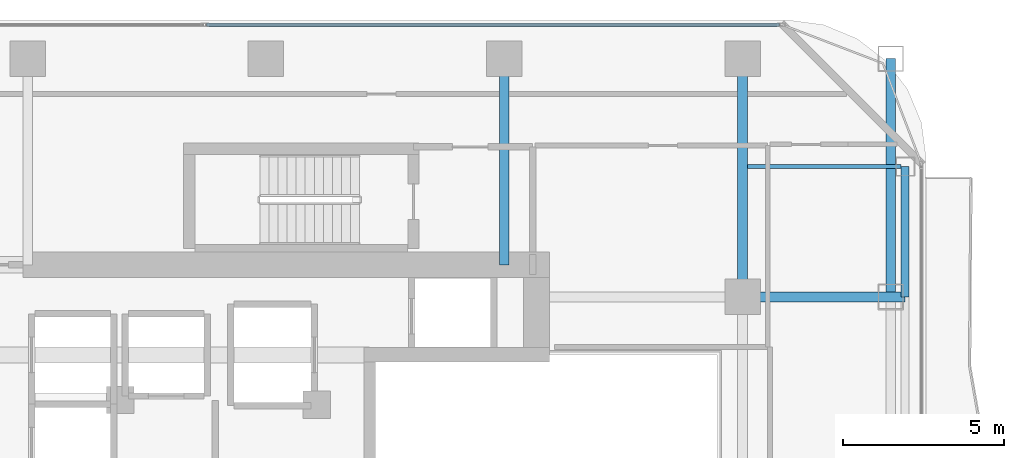
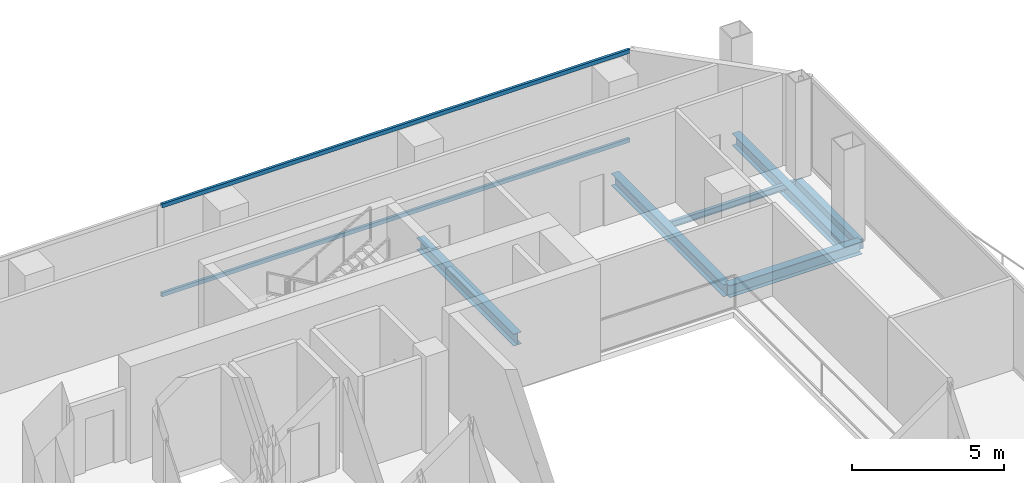
# One storey, part 14 of 23: 6 beams, 2 members, 1 element without a shape of its own.
"""IFC4 building model written with IfcOpenShell, lengths in metres."""

from ifc_helpers import new_model, si_unit, direction, frame, origin, origin_2d, place, context, subcontext, project, spatial, hollow_rectangle, i_section, extrude, material, layer, layer_set, material_profile, profile_set, type_object, element, aggregate, save


model = new_model("IFC4")

# Units and contexts
model_context = context("Model", 3, precision=1e-05, world=origin(), true_north=direction((0.0, 1.0)))
body_context = subcontext(model_context, "Body", "Model", "MODEL_VIEW")
ifc_project = project(units=[si_unit("LENGTHUNIT", "METRE"), si_unit("AREAUNIT", "SQUARE_METRE"), si_unit("VOLUMEUNIT", "CUBIC_METRE"), si_unit("PLANEANGLEUNIT", "RADIAN"), si_unit("MASSUNIT", "GRAM", prefix="KILO")], contexts=[model_context])

# Site, building, storey
site_placement = place(None, origin())
site = spatial("IfcSite", under=ifc_project, at=site_placement, CompositionType="ELEMENT")
building_placement = place(site_placement, origin())
building = spatial("IfcBuilding", under=site, at=building_placement, Name="Khorvyn Point Tower", CompositionType="ELEMENT")
storey_placement = place(building_placement, frame((0.0, 0.0, 199.199951171875)))
storey = spatial("IfcBuildingStorey", under=building, at=storey_placement, Name="L49", CompositionType="ELEMENT", Elevation=199.199951171875)

# Curtain wall, members
ifc_material_1 = material(Name="Anodised aluminium 6063-T6 and laminated Low-E glass", Category="aluminium")
ifc_layer = layer(ifc_material_1, 0.18994140625)
ifc_layer_set = layer_set([ifc_layer], Name="Stick-Built Acoustic Curtain Wall CW-SYS-03")
curtain_wall_type = type_object("IfcCurtainWallType", Name="Stick-Built Acoustic Curtain Wall CW-SYS-03", PredefinedType="NOTDEFINED", material=ifc_layer_set)
curtain_wall_placement = place(storey_placement, origin())
curtain_wall = element("IfcCurtainWall", 1, at=curtain_wall_placement, inside=storey, type_object=curtain_wall_type, Name="Curtain Wall", PredefinedType="NOTDEFINED")
ifc_material_2 = material(Name="Anodised aluminium 6063-T6", Category="aluminium")
ifc_material_profile_1 = material_profile(ifc_material_2, hollow_rectangle(XDim=0.10009765625, YDim=0.159912109375, WallThickness=0.00439453125, at=origin_2d()))
ifc_profile_set_1 = profile_set([ifc_material_profile_1], Name="Anodised aluminium 6063-T6 ALU-TRN-100x160")
member_type = type_object("IfcMemberType", Name="Anodised Aluminium 6063-T6 Transom ALU-TRN-100x160", PredefinedType="USERDEFINED", material=ifc_profile_set_1)
member_1_placement = place(storey_placement, frame((-1.85009765625, 15.85009765625, 0.050048828125), z_axis=(1.0, 0.0, 0.0), x_axis=(0.0, 1.0, 0.0)))
member_1 = element("IfcMember", 2, at=member_1_placement, type_object=member_type, Name="Transom", ObjectType="TRANSOM", PredefinedType="USERDEFINED", context=body_context, shape_type="SweptSolid", body=[
    extrude(hollow_rectangle(XDim=0.10009765625, YDim=0.159912109375, WallThickness=0.00439453125, at=origin_2d()), origin(), (0.0, 0.0, 1.0), 17.800048828125),
])
member_2_placement = place(storey_placement, frame((-1.85009765625, 15.85009765625, 3.630126953125), z_axis=(1.0, 0.0, 0.0), x_axis=(0.0, 1.0, 0.0)))
member_2 = element("IfcMember", 3, at=member_2_placement, type_object=member_type, Name="Transom", ObjectType="TRANSOM", PredefinedType="USERDEFINED", context=body_context, shape_type="SweptSolid", body=[
    extrude(hollow_rectangle(XDim=0.10009765625, YDim=0.159912109375, WallThickness=0.00439453125, at=origin_2d()), origin(), (0.0, 0.0, 1.0), 17.800048828125),
])
aggregate(curtain_wall, [member_1, member_2])

# Beams
ifc_material_3 = material(Name="Steel S355", Category="steel")
ifc_material_profile_2 = material_profile(ifc_material_3, i_section(OverallWidth=0.125, OverallDepth=0.25, WebThickness=0.006103515625, FlangeThickness=0.009033203125, at=origin_2d()))
ifc_profile_set_2 = profile_set([ifc_material_profile_2], Name="Steel S355 H250x125x6x9")
beam_type_1 = type_object("IfcBeamType", Name="Steel S355 Joist H250x125x6x9", PredefinedType="JOIST", material=ifc_profile_set_2)
beam_1_placement = place(storey_placement, frame((14.949951171875, 11.449951171875, -0.344970703125), z_axis=(1.0, 0.0, 0.0), x_axis=(0.0, 1.0, 0.0)))
element("IfcBeam", 4, at=beam_1_placement, inside=storey, type_object=beam_type_1, Name="Beam", PredefinedType="JOIST", context=body_context, shape_type="SweptSolid", body=[
    extrude(i_section(OverallWidth=0.125, OverallDepth=0.25, WebThickness=0.006103515625, FlangeThickness=0.009033203125, at=origin_2d()), origin(), (0.0, 0.0, 1.0), 4.775146484375),
])
ifc_material_profile_3 = material_profile(ifc_material_3, i_section(OverallWidth=0.300048828125, OverallDepth=0.488037109375, WebThickness=0.010986328125, FlangeThickness=0.01806640625, at=origin_2d()))
ifc_profile_set_3 = profile_set([ifc_material_profile_3], Name="Steel S355 H488x300x11x18")
beam_type_2 = type_object("IfcBeamType", Name="Steel S355 Spandrel H488x300x11x18", PredefinedType="SPANDREL", material=ifc_profile_set_3)
beam_2_placement = place(storey_placement, frame((14.800048828125, 7.39990234375, -0.4638671875), z_axis=(1.0, 0.0, 0.0), x_axis=(0.0, 1.0, 0.0)))
element("IfcBeam", 5, at=beam_2_placement, inside=storey, type_object=beam_type_2, Name="Beam", PredefinedType="SPANDREL", context=body_context, shape_type="SweptSolid", body=[
    extrude(i_section(OverallWidth=0.300048828125, OverallDepth=0.488037109375, WebThickness=0.010986328125, FlangeThickness=0.01806640625, at=origin_2d()), origin(), (0.0, 0.0, 1.0), 5.050048828125),
])
beam_3_placement = place(storey_placement, frame((14.800048828125, 7.39990234375, -0.4638671875), z_axis=(0.0, 1.0, 0.0), x_axis=(-1.0, 0.0, 0.0)))
element("IfcBeam", 6, at=beam_3_placement, inside=storey, type_object=beam_type_2, Name="Beam", PredefinedType="SPANDREL", context=body_context, shape_type="SweptSolid", body=[
    extrude(i_section(OverallWidth=0.300048828125, OverallDepth=0.488037109375, WebThickness=0.010986328125, FlangeThickness=0.01806640625, at=origin_2d()), origin(), (0.0, 0.0, 1.0), 7.400146484375),
])
beam_4_placement = place(storey_placement, frame((7.39990234375, 8.39990234375, -0.4638671875), z_axis=(0.0, 1.0, 0.0), x_axis=(-1.0, 0.0, 0.0)))
element("IfcBeam", 7, at=beam_4_placement, inside=storey, type_object=beam_type_2, Name="Beam", PredefinedType="SPANDREL", context=body_context, shape_type="SweptSolid", body=[
    extrude(i_section(OverallWidth=0.300048828125, OverallDepth=0.488037109375, WebThickness=0.010986328125, FlangeThickness=0.01806640625, at=origin_2d()), origin(), (0.0, 0.0, 1.0), 6.400146484375),
])
beam_5_placement = place(storey_placement, frame((19.39990234375, 7.39990234375, -0.4638671875), z_axis=(0.0, 1.0, 0.0), x_axis=(-1.0, 0.0, 0.0)))
element("IfcBeam", 8, at=beam_5_placement, inside=storey, type_object=beam_type_2, Name="Beam", PredefinedType="SPANDREL", context=body_context, shape_type="SweptSolid", body=[
    extrude(i_section(OverallWidth=0.300048828125, OverallDepth=0.488037109375, WebThickness=0.010986328125, FlangeThickness=0.01806640625, at=origin_2d()), origin(), (0.0, 0.0, 1.0), 7.400146484375),
])
ifc_material_profile_4 = material_profile(ifc_material_3, hollow_rectangle(XDim=0.25, YDim=0.39990234375, WallThickness=0.01611328125, at=origin_2d()))
ifc_profile_set_4 = profile_set([ifc_material_profile_4], Name="Steel S355 RHS400x250x16")
beam_type_3 = type_object("IfcBeamType", Name="Steel S355 Spandrel RHS400x250x16", PredefinedType="SPANDREL", material=ifc_profile_set_4)
beam_6_placement = place(storey_placement, frame((19.85009765625, 7.39990234375, -0.419921875), z_axis=(0.0, 1.0, 0.0), x_axis=(-1.0, 0.0, 0.0)))
element("IfcBeam", 9, at=beam_6_placement, inside=storey, type_object=beam_type_3, Name="Beam", PredefinedType="SPANDREL", context=body_context, shape_type="SweptSolid", body=[
    extrude(hollow_rectangle(XDim=0.25, YDim=0.39990234375, WallThickness=0.01611328125, at=origin_2d()), origin(), (0.0, 0.0, 1.0), 4.050048828125),
])

save(model, "model.ifc")
